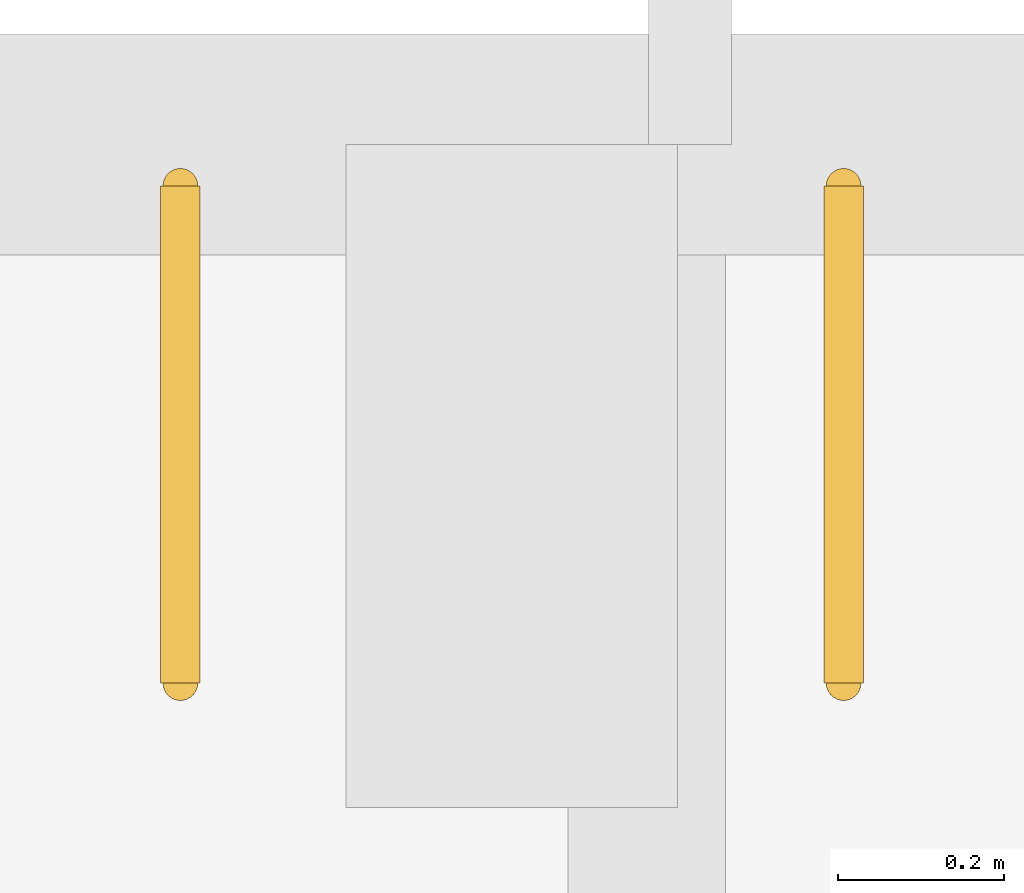
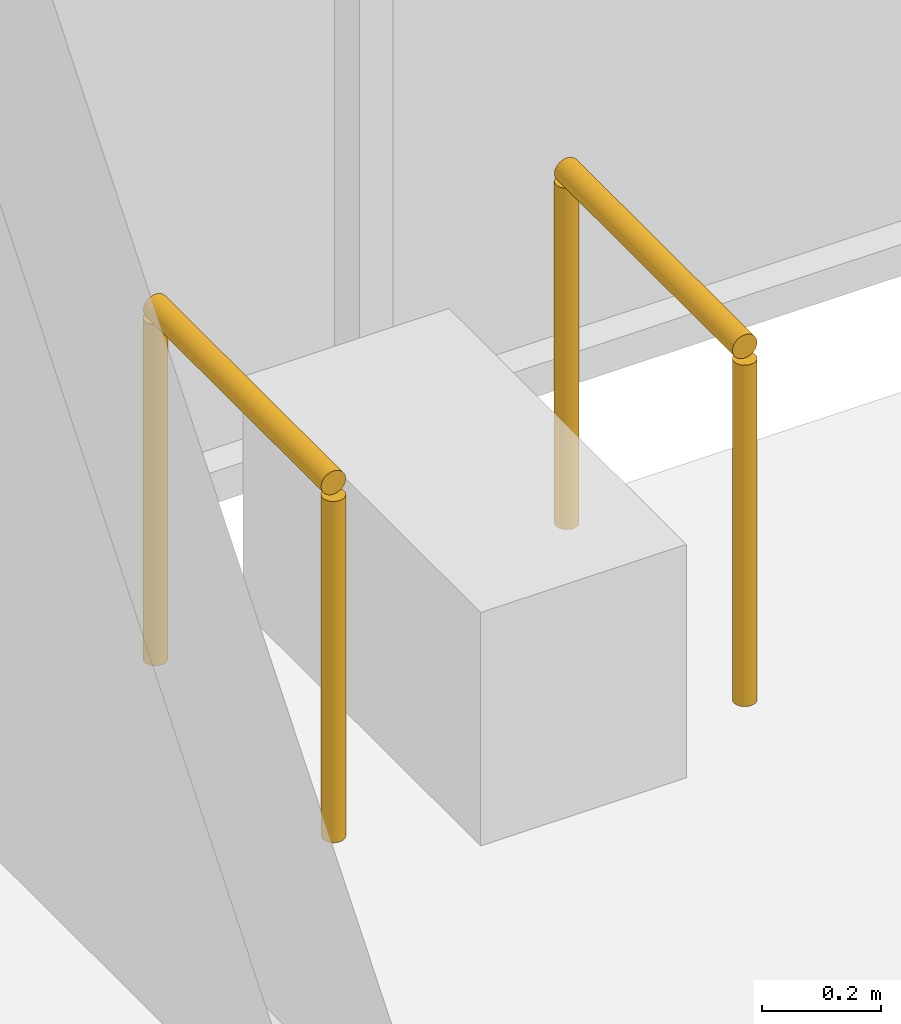
# One storey, part 53 of 54: 2 railings.
"""IFC4 building model written with IfcOpenShell, lengths in metres."""

from ifc_helpers import new_model, si_unit, direction, frame, origin, origin_2d, place, context, subcontext, project, spatial, circle, extrude, material, type_object, element, save


model = new_model("IFC4")

# Units and contexts
model_context = context("Model", 3, precision=1e-05, world=origin(), true_north=direction((0.0, 1.0)))
body_context = subcontext(model_context, "Body", "Model", "MODEL_VIEW")
ifc_project = project(units=[si_unit("LENGTHUNIT", "METRE"), si_unit("AREAUNIT", "SQUARE_METRE"), si_unit("VOLUMEUNIT", "CUBIC_METRE"), si_unit("PLANEANGLEUNIT", "RADIAN"), si_unit("MASSUNIT", "GRAM", prefix="KILO")], contexts=[model_context])

# Site, building, storey
site_placement = place(None, origin())
site = spatial("IfcSite", under=ifc_project, at=site_placement, CompositionType="ELEMENT")
building_placement = place(site_placement, origin())
building = spatial("IfcBuilding", under=site, at=building_placement, Name="Baradari Gate Terminus", CompositionType="ELEMENT")
storey_placement = place(building_placement, frame((0.0, 0.0, 15.89990234375)))
storey = spatial("IfcBuildingStorey", under=building, at=storey_placement, Name="L03", CompositionType="ELEMENT", Elevation=15.89990234375)

# Railings
ifc_material = material(Name="Stainless steel 1.4301", Category="steel")
railing_type = type_object("IfcRailingType", Name="Grab rail GB-1 750", PredefinedType="HANDRAIL", material=ifc_material)
for number, where, name in (
    (1, (38.4375, 143.949951171875, 0.0), "Grab rail Accessible WC"),
    (2, (39.237548828125, 143.949951171875, 0.0), "Grab rail Accessible WC"),
):
    element("IfcRailing", number, at=place(storey_placement, frame(where)), inside=storey, type_object=railing_type, Name=name, PredefinedType="HANDRAIL", context=body_context, shape_type="SweptSolid", body=[
        extrude(circle(Radius=0.02392578125, at=origin_2d()), frame((0.0, 0.0, 0.72607421875), z_axis=(0.0, -1.0, 0.0), x_axis=(1.0, 0.0, 0.0)), (0.0, 0.0, 1.0), 0.599853515625),
        extrude(circle(Radius=0.02099609375, at=origin_2d()), origin(), (0.0, 0.0, 1.0), 0.701904296875),
        extrude(circle(Radius=0.02099609375, at=origin_2d()), frame((0.0, -0.599853515625, 0.0)), (0.0, 0.0, 1.0), 0.701904296875),
    ])

save(model, "model.ifc")
